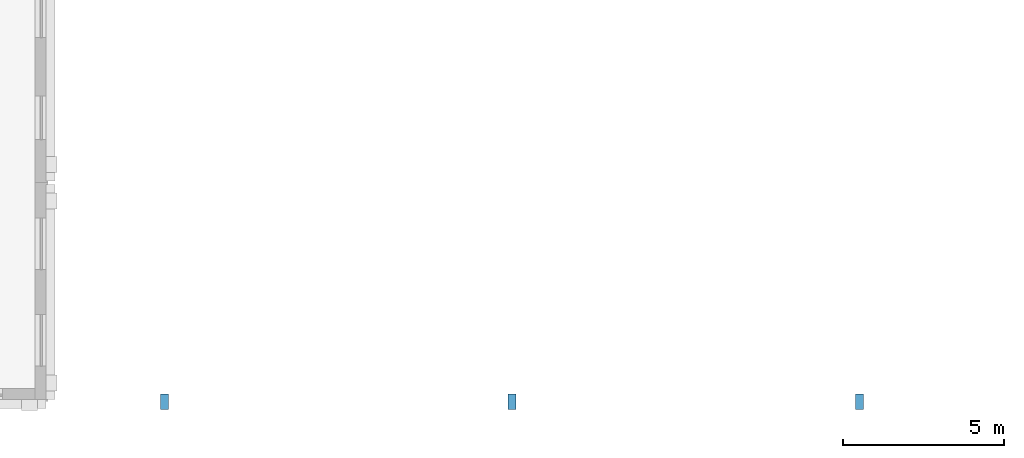
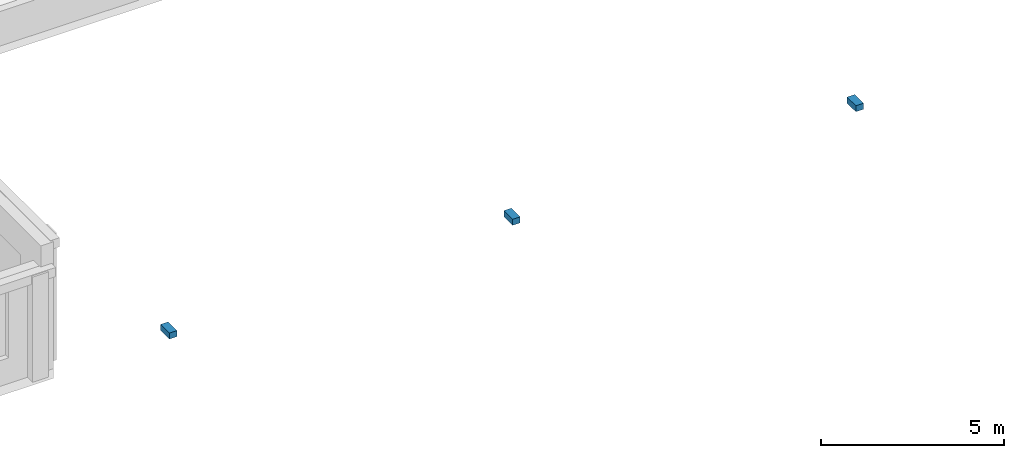
# One storey, part 50 of 62: 3 discrete accessories.
"""IFC4 building model written with IfcOpenShell, lengths in metres."""

from ifc_helpers import new_model, si_unit, direction, frame, origin, origin_2d, place, context, subcontext, project, spatial, rectangle, extrude, material, type_object, element, save


model = new_model("IFC4")

# Units and contexts
model_context = context("Model", 3, precision=1e-05, world=origin(), true_north=direction((0.0, 1.0)))
body_context = subcontext(model_context, "Body", "Model", "MODEL_VIEW")
ifc_project = project(units=[si_unit("LENGTHUNIT", "METRE"), si_unit("AREAUNIT", "SQUARE_METRE"), si_unit("VOLUMEUNIT", "CUBIC_METRE"), si_unit("PLANEANGLEUNIT", "RADIAN"), si_unit("MASSUNIT", "GRAM", prefix="KILO")], contexts=[model_context])

# Site, building, storey
site_placement = place(None, origin())
site = spatial("IfcSite", under=ifc_project, at=site_placement, CompositionType="ELEMENT")
building_placement = place(site_placement, origin())
building = spatial("IfcBuilding", under=site, at=building_placement, Name="Clarverna Civic Hall", CompositionType="ELEMENT")
storey_placement = place(building_placement, frame((0.0, 0.0, 5.10009765625)))
storey = spatial("IfcBuildingStorey", under=building, at=storey_placement, Name="L01", CompositionType="ELEMENT", Elevation=5.10009765625)

# Discrete accessories
ifc_material = material(Name="Anodised Bronze Support Bracket")
discrete_accessory_type = type_object("IfcDiscreteAccessoryType", Name="BRK-01", PredefinedType="BRACKET", material=ifc_material)
for number, where, z_axis, x_axis, name in (
    (1, (70.199951171875, 0.0, -0.10009765625), (0.0, 0.0, 1.0), (1.0, 0.0, 0.0), "BRK-01-006"),
    (2, (81.0, 0.0, -0.10009765625), (0.0, 0.0, 1.0), (1.0, 0.0, 0.0), "BRK-01-007"),
    (3, (91.800048828125, 0.0, -0.10009765625), (0.0, 0.0, 1.0), (1.0, 0.0, 0.0), "BRK-01-008"),
):
    element("IfcDiscreteAccessory", number, at=place(storey_placement, frame(where, z_axis=z_axis, x_axis=x_axis)), inside=storey, type_object=discrete_accessory_type, Name=name, PredefinedType="BRACKET", context=body_context, shape_type="SweptSolid", body=[
        extrude(rectangle(XDim=0.239990234375, YDim=0.47998046875, at=origin_2d()), origin(), (0.0, 0.0, 1.0), 0.199951171875),
    ])

save(model, "model.ifc")
